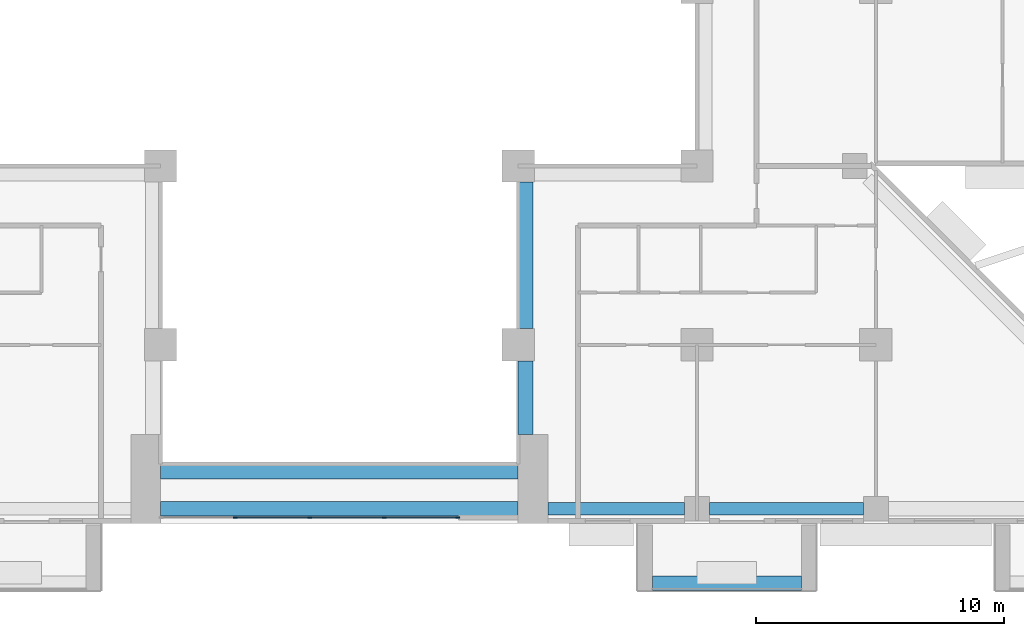
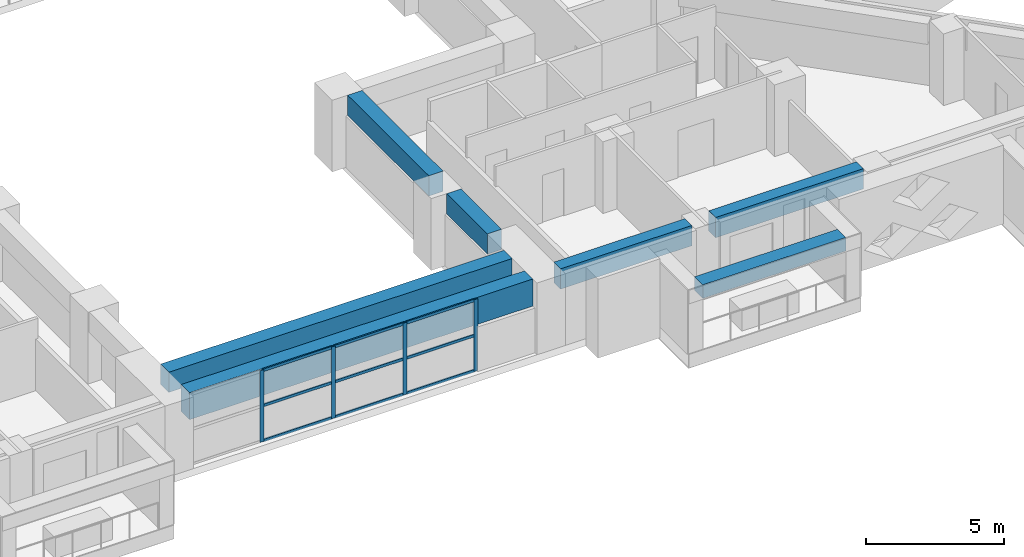
# One storey, part 4 of 17: 13 members, 7 beams, 1 element without a shape of its own.
"""IFC4 building model written with IfcOpenShell, lengths in metres."""

from ifc_helpers import new_model, si_unit, direction, frame, origin, origin_2d, place, context, subcontext, project, spatial, rectangle, extrude, source, transform, mapped, material, layer, layer_set, material_profile, profile_set, type_object, element, aggregate, save


model = new_model("IFC4")

# Units and contexts
model_context = context("Model", 3, precision=1e-05, world=origin(), true_north=direction((0.0, 1.0)))
body_context = subcontext(model_context, "Body", "Model", "MODEL_VIEW")
ifc_project = project(units=[si_unit("LENGTHUNIT", "METRE"), si_unit("AREAUNIT", "SQUARE_METRE"), si_unit("VOLUMEUNIT", "CUBIC_METRE"), si_unit("PLANEANGLEUNIT", "RADIAN"), si_unit("MASSUNIT", "GRAM", prefix="KILO")], contexts=[model_context])

# Site, building, storey
site_placement = place(None, origin())
site = spatial("IfcSite", under=ifc_project, at=site_placement, CompositionType="ELEMENT")
building_placement = place(site_placement, origin())
building = spatial("IfcBuilding", under=site, at=building_placement, Name="Saffron Iwan Residences", CompositionType="ELEMENT")
storey_placement = place(building_placement, frame((0.0, 0.0, 62.0)))
storey = spatial("IfcBuildingStorey", under=building, at=storey_placement, Name="L15", CompositionType="ELEMENT", Elevation=62.0)

# Beams
ifc_material_1 = material(Name="Concrete C60/75", Category="concrete")
ifc_material_profile_1 = material_profile(ifc_material_1, rectangle(XDim=0.60009765625, YDim=1.199951171875, at=origin_2d()), Name="RC 600x1200")
ifc_profile_set_1 = profile_set([ifc_material_profile_1], Name="Concrete C60/75")
beam_type_1 = type_object("IfcBeamType", Name="LINTEL BEAM RC 600x1200 C60/75 TOP 3180", PredefinedType="LINTEL", material=ifc_profile_set_1)
shared_shape_1 = source(origin(), body_context, "Body", "SweptSolid", [
    extrude(rectangle(XDim=0.60009765625, YDim=1.199951171875, at=origin_2d()), origin(), (0.0, 0.0, 1.0), 14.400146484375),
])
beam_1_placement = place(storey_placement, frame((57.60009765625, 34.199951171875, 2.580078125), z_axis=(-1.0, 0.0, 0.0), x_axis=(0.0, -1.0, 0.0)))
element("IfcBeam", 1, at=beam_1_placement, inside=storey, type_object=beam_type_1, Name="Lintel beam over the iwan", PredefinedType="LINTEL", context=body_context, shape_type="MappedRepresentation", body=[
    mapped(shared_shape_1, transform((0.0, 0.0, 0.0))),
])
ifc_material_profile_2 = material_profile(ifc_material_1, rectangle(XDim=0.60009765625, YDim=0.89990234375, at=origin_2d()), Name="RC 600x900")
ifc_profile_set_2 = profile_set([ifc_material_profile_2], Name="Concrete C60/75")
beam_type_2 = type_object("IfcBeamType", Name="BEAM RC 600x900 C60/75 TOP 3180", PredefinedType="BEAM", material=ifc_profile_set_2)
shared_shape_2 = source(origin(), body_context, "Body", "SweptSolid", [
    extrude(rectangle(XDim=0.60009765625, YDim=0.89990234375, at=origin_2d()), origin(), (0.0, 0.0, 1.0), 14.400146484375),
])
beam_2_placement = place(storey_placement, frame((57.60009765625, 35.699951171875, 2.72998046875), z_axis=(-1.0, 0.0, 0.0), x_axis=(0.0, -1.0, 0.0)))
element("IfcBeam", 2, at=beam_2_placement, inside=storey, type_object=beam_type_2, Name="Atrium edge beam", PredefinedType="BEAM", context=body_context, shape_type="MappedRepresentation", body=[
    mapped(shared_shape_2, transform((0.0, 0.0, 0.0))),
])
ifc_material_profile_3 = material_profile(ifc_material_1, rectangle(XDim=0.5, YDim=0.89990234375, at=origin_2d()), Name="RC 500x900")
ifc_profile_set_3 = profile_set([ifc_material_profile_3], Name="Concrete C60/75")
beam_type_3 = type_object("IfcBeamType", Name="SPANDREL BEAM RC 500x900 C60/75 TOP 3180", PredefinedType="SPANDREL", material=ifc_profile_set_3)
shared_shape_3 = source(origin(), body_context, "Body", "SweptSolid", [
    extrude(rectangle(XDim=0.5, YDim=0.89990234375, at=origin_2d()), origin(), (0.0, 0.0, 1.0), 6.199951171875),
])
beam_3_placement = place(storey_placement, frame((71.5, 34.199951171875, 2.72998046875), z_axis=(-1.0, 0.0, 0.0), x_axis=(0.0, -1.0, 0.0)))
element("IfcBeam", 3, at=beam_3_placement, inside=storey, type_object=beam_type_3, Name="Spandrel beam", PredefinedType="SPANDREL", context=body_context, shape_type="MappedRepresentation", body=[
    mapped(shared_shape_3, transform((0.0, 0.0, 0.0))),
])
shared_shape_4 = source(origin(), body_context, "Body", "SweptSolid", [
    extrude(rectangle(XDim=0.5, YDim=0.89990234375, at=origin_2d()), origin(), (0.0, 0.0, 1.0), 5.5),
])
beam_4_placement = place(storey_placement, frame((64.300048828125, 34.199951171875, 2.72998046875), z_axis=(-1.0, 0.0, 0.0), x_axis=(0.0, -1.0, 0.0)))
element("IfcBeam", 4, at=beam_4_placement, inside=storey, type_object=beam_type_3, Name="Spandrel beam", PredefinedType="SPANDREL", context=body_context, shape_type="MappedRepresentation", body=[
    mapped(shared_shape_4, transform((0.0, 0.0, 0.0))),
])
shared_shape_5 = source(origin(), body_context, "Body", "SweptSolid", [
    extrude(rectangle(XDim=0.60009765625, YDim=0.89990234375, at=origin_2d()), origin(), (0.0, 0.0, 1.0), 2.949951171875),
])
beam_5_placement = place(storey_placement, frame((57.89990234375, 40.14990234375, 2.72998046875), z_axis=(0.0, -1.0, 0.0), x_axis=(1.0, 0.0, 0.0)))
element("IfcBeam", 5, at=beam_5_placement, inside=storey, type_object=beam_type_2, Name="Atrium edge beam", PredefinedType="BEAM", context=body_context, shape_type="MappedRepresentation", body=[
    mapped(shared_shape_5, transform((0.0, 0.0, 0.0))),
])
shared_shape_6 = source(origin(), body_context, "Body", "SweptSolid", [
    extrude(rectangle(XDim=0.60009765625, YDim=0.89990234375, at=origin_2d()), origin(), (0.0, 0.0, 1.0), 5.900146484375),
])
beam_6_placement = place(storey_placement, frame((57.89990234375, 47.35009765625, 2.72998046875), z_axis=(0.0, -1.0, 0.0), x_axis=(1.0, 0.0, 0.0)))
element("IfcBeam", 6, at=beam_6_placement, inside=storey, type_object=beam_type_2, Name="Atrium edge beam", PredefinedType="BEAM", context=body_context, shape_type="MappedRepresentation", body=[
    mapped(shared_shape_6, transform((0.0, 0.0, 0.0))),
])

# Curtain wall, members
ifc_material_2 = material(Name="Clear glass, laminated double glazed", Category="glass")
ifc_layer = layer(ifc_material_2, 0.199951171875)
ifc_layer_set = layer_set([ifc_layer], Name="Clear glass, laminated double glazed")
curtain_wall_type = type_object("IfcCurtainWallType", Name="CW-B IWAN PORTAL", PredefinedType="NOTDEFINED", material=ifc_layer_set)
curtain_wall_placement = place(storey_placement, origin())
curtain_wall = element("IfcCurtainWall", 7, at=curtain_wall_placement, inside=storey, type_object=curtain_wall_type, Name="Iwan portal glazing L15.1", PredefinedType="NOTDEFINED")
ifc_material_3 = material(Name="Aluminium 6063-T6", Category="aluminium")
ifc_material_profile_4 = material_profile(ifc_material_3, rectangle(XDim=0.06005859375, YDim=0.159912109375, at=origin_2d()), Name="CW-B MULLION 60 x 160")
ifc_profile_set_4 = profile_set([ifc_material_profile_4], Name="Aluminium 6063-T6")
member_type_1 = type_object("IfcMemberType", Name="CW-B MULLION 60 x 160", PredefinedType="MULLION", material=ifc_profile_set_4)
shared_shape_7 = source(origin(), body_context, "Body", "SweptSolid", [
    extrude(rectangle(XDim=0.06005859375, YDim=0.159912109375, at=origin_2d()), origin(), (0.0, 0.0, 1.0), 3.179931640625),
])
member_1_placement = place(storey_placement, frame((46.199951171875, 33.85009765625, 0.0), z_axis=(0.0, 0.0, 1.0), x_axis=(0.0, 1.0, 0.0)))
member_1 = element("IfcMember", 8, at=member_1_placement, type_object=member_type_1, Name="CW-B mullion 2", PredefinedType="MULLION", context=body_context, shape_type="MappedRepresentation", body=[
    mapped(shared_shape_7, transform((0.0, 0.0, 0.0))),
])
member_2_placement = place(storey_placement, frame((49.199951171875, 33.85009765625, 0.0), z_axis=(0.0, 0.0, 1.0), x_axis=(0.0, 1.0, 0.0)))
member_2 = element("IfcMember", 9, at=member_2_placement, type_object=member_type_1, Name="CW-B mullion 3", PredefinedType="MULLION", context=body_context, shape_type="MappedRepresentation", body=[
    mapped(shared_shape_7, transform((0.0, 0.0, 0.0))),
])
member_3_placement = place(storey_placement, frame((52.199951171875, 33.85009765625, 0.0), z_axis=(0.0, 0.0, 1.0), x_axis=(0.0, 1.0, 0.0)))
member_3 = element("IfcMember", 10, at=member_3_placement, type_object=member_type_1, Name="CW-B mullion 4", PredefinedType="MULLION", context=body_context, shape_type="MappedRepresentation", body=[
    mapped(shared_shape_7, transform((0.0, 0.0, 0.0))),
])
member_4_placement = place(storey_placement, frame((55.169921875, 33.85009765625, 0.0), z_axis=(0.0, 0.0, 1.0), x_axis=(0.0, 1.0, 0.0)))
member_4 = element("IfcMember", 11, at=member_4_placement, type_object=member_type_1, Name="CW-B mullion 5", PredefinedType="MULLION", context=body_context, shape_type="MappedRepresentation", body=[
    mapped(shared_shape_7, transform((0.0, 0.0, 0.0))),
])
ifc_material_profile_5 = material_profile(ifc_material_3, rectangle(XDim=0.06005859375, YDim=0.1201171875, at=origin_2d()), Name="CW-B TRANSOM 60 x 120")
ifc_profile_set_5 = profile_set([ifc_material_profile_5], Name="Aluminium 6063-T6")
member_type_2 = type_object("IfcMemberType", Name="CW-B TRANSOM 60 x 120", PredefinedType="USERDEFINED", material=ifc_profile_set_5)
shared_shape_8 = source(origin(), body_context, "Body", "SweptSolid", [
    extrude(rectangle(XDim=0.06005859375, YDim=0.1201171875, at=origin_2d()), origin(), (0.0, 0.0, 1.0), 2.909912109375),
])
member_5_placement = place(storey_placement, frame((52.22998046875, 33.85009765625, 0.030029296875), z_axis=(1.0, 0.0, 0.0), x_axis=(0.0, 1.0, 0.0)))
member_5 = element("IfcMember", 12, at=member_5_placement, type_object=member_type_2, Name="CW-B transom 4.1", ObjectType="TRANSOM", PredefinedType="USERDEFINED", context=body_context, shape_type="MappedRepresentation", body=[
    mapped(shared_shape_8, transform((0.0, 0.0, 0.0))),
])
member_6_placement = place(storey_placement, frame((52.22998046875, 33.85009765625, 1.590087890625), z_axis=(1.0, 0.0, 0.0), x_axis=(0.0, 1.0, 0.0)))
member_6 = element("IfcMember", 13, at=member_6_placement, type_object=member_type_2, Name="CW-B transom 4.2", ObjectType="TRANSOM", PredefinedType="USERDEFINED", context=body_context, shape_type="MappedRepresentation", body=[
    mapped(shared_shape_8, transform((0.0, 0.0, 0.0))),
])
member_7_placement = place(storey_placement, frame((52.22998046875, 33.85009765625, 3.14990234375), z_axis=(1.0, 0.0, 0.0), x_axis=(0.0, 1.0, 0.0)))
member_7 = element("IfcMember", 14, at=member_7_placement, type_object=member_type_2, Name="CW-B transom 4.3", ObjectType="TRANSOM", PredefinedType="USERDEFINED", context=body_context, shape_type="MappedRepresentation", body=[
    mapped(shared_shape_8, transform((0.0, 0.0, 0.0))),
])
shared_shape_9 = source(origin(), body_context, "Body", "SweptSolid", [
    extrude(rectangle(XDim=0.06005859375, YDim=0.1201171875, at=origin_2d()), origin(), (0.0, 0.0, 1.0), 2.93994140625),
])
member_8_placement = place(storey_placement, frame((46.22998046875, 33.85009765625, 0.030029296875), z_axis=(1.0, 0.0, 0.0), x_axis=(0.0, 1.0, 0.0)))
member_8 = element("IfcMember", 15, at=member_8_placement, type_object=member_type_2, Name="CW-B transom 2.1", ObjectType="TRANSOM", PredefinedType="USERDEFINED", context=body_context, shape_type="MappedRepresentation", body=[
    mapped(shared_shape_9, transform((0.0, 0.0, 0.0))),
])
member_9_placement = place(storey_placement, frame((46.22998046875, 33.85009765625, 1.590087890625), z_axis=(1.0, 0.0, 0.0), x_axis=(0.0, 1.0, 0.0)))
member_9 = element("IfcMember", 16, at=member_9_placement, type_object=member_type_2, Name="CW-B transom 2.2", ObjectType="TRANSOM", PredefinedType="USERDEFINED", context=body_context, shape_type="MappedRepresentation", body=[
    mapped(shared_shape_9, transform((0.0, 0.0, 0.0))),
])
member_10_placement = place(storey_placement, frame((46.22998046875, 33.85009765625, 3.14990234375), z_axis=(1.0, 0.0, 0.0), x_axis=(0.0, 1.0, 0.0)))
member_10 = element("IfcMember", 17, at=member_10_placement, type_object=member_type_2, Name="CW-B transom 2.3", ObjectType="TRANSOM", PredefinedType="USERDEFINED", context=body_context, shape_type="MappedRepresentation", body=[
    mapped(shared_shape_9, transform((0.0, 0.0, 0.0))),
])
member_11_placement = place(storey_placement, frame((49.22998046875, 33.85009765625, 0.030029296875), z_axis=(1.0, 0.0, 0.0), x_axis=(0.0, 1.0, 0.0)))
member_11 = element("IfcMember", 18, at=member_11_placement, type_object=member_type_2, Name="CW-B transom 3.1", ObjectType="TRANSOM", PredefinedType="USERDEFINED", context=body_context, shape_type="MappedRepresentation", body=[
    mapped(shared_shape_9, transform((0.0, 0.0, 0.0))),
])
member_12_placement = place(storey_placement, frame((49.22998046875, 33.85009765625, 1.590087890625), z_axis=(1.0, 0.0, 0.0), x_axis=(0.0, 1.0, 0.0)))
member_12 = element("IfcMember", 19, at=member_12_placement, type_object=member_type_2, Name="CW-B transom 3.2", ObjectType="TRANSOM", PredefinedType="USERDEFINED", context=body_context, shape_type="MappedRepresentation", body=[
    mapped(shared_shape_9, transform((0.0, 0.0, 0.0))),
])
member_13_placement = place(storey_placement, frame((49.22998046875, 33.85009765625, 3.14990234375), z_axis=(1.0, 0.0, 0.0), x_axis=(0.0, 1.0, 0.0)))
member_13 = element("IfcMember", 20, at=member_13_placement, type_object=member_type_2, Name="CW-B transom 3.3", ObjectType="TRANSOM", PredefinedType="USERDEFINED", context=body_context, shape_type="MappedRepresentation", body=[
    mapped(shared_shape_9, transform((0.0, 0.0, 0.0))),
])
aggregate(curtain_wall, [member_1, member_2, member_3, member_4, member_8, member_9, member_10, member_11, member_12, member_13, member_5, member_6, member_7])

# Beam
ifc_material_4 = material(Name="Concrete C50/60 white painted", Category="concrete")
ifc_material_profile_6 = material_profile(ifc_material_4, rectangle(XDim=0.60009765625, YDim=0.60009765625, at=origin_2d()), Name="BALCONY FASCIA BEAM 600 x 600")
ifc_profile_set_6 = profile_set([ifc_material_profile_6], Name="Concrete C50/60 white painted")
beam_type_4 = type_object("IfcBeamType", Name="BALCONY FASCIA BEAM 600 x 600", PredefinedType="BEAM", material=ifc_profile_set_6)
shared_shape_10 = source(origin(), body_context, "Body", "SweptSolid", [
    extrude(rectangle(XDim=0.60009765625, YDim=0.60009765625, at=origin_2d()), origin(), (0.0, 0.0, 1.0), 6.0),
])
beam_7_placement = place(storey_placement, frame((63.0, 31.199951171875, 2.550048828125), z_axis=(1.0, 0.0, 0.0), x_axis=(0.0, 1.0, 0.0)))
element("IfcBeam", 21, at=beam_7_placement, inside=storey, type_object=beam_type_4, Name="Balcony fascia beam L15 11-2", PredefinedType="BEAM", context=body_context, shape_type="MappedRepresentation", body=[
    mapped(shared_shape_10, transform((0.0, 0.0, 0.0))),
])

save(model, "model.ifc")
